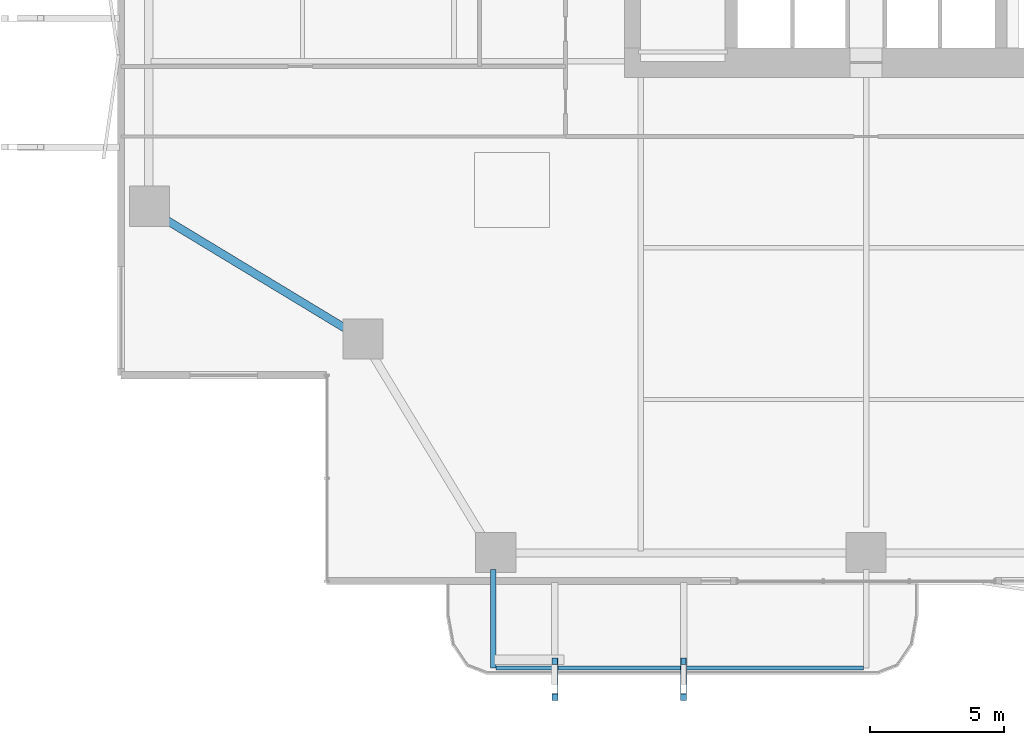
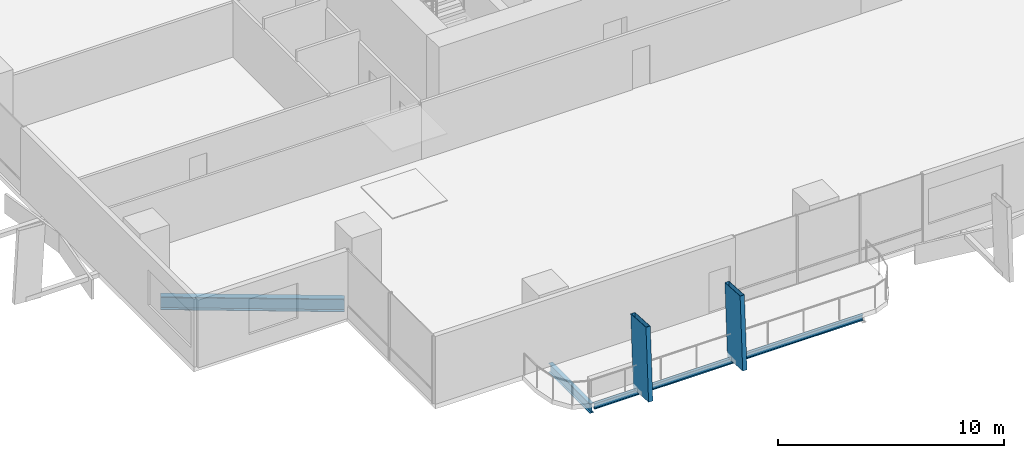
# One storey, part 3 of 30: 3 beams, 2 members.
"""IFC4 building model written with IfcOpenShell, lengths in metres."""

from ifc_helpers import new_model, si_unit, direction, frame, origin, origin_2d, place, context, subcontext, project, spatial, hollow_rectangle, i_section, extrude, material, material_profile, profile_set, type_object, element, save


model = new_model("IFC4")

# Units and contexts
model_context = context("Model", 3, precision=1e-05, world=origin(), true_north=direction((0.0, 1.0)))
body_context = subcontext(model_context, "Body", "Model", "MODEL_VIEW")
ifc_project = project(units=[si_unit("LENGTHUNIT", "METRE"), si_unit("AREAUNIT", "SQUARE_METRE"), si_unit("VOLUMEUNIT", "CUBIC_METRE"), si_unit("PLANEANGLEUNIT", "RADIAN"), si_unit("MASSUNIT", "GRAM", prefix="KILO")], contexts=[model_context])

# Site, building, storey
site_placement = place(None, origin())
site = spatial("IfcSite", under=ifc_project, at=site_placement, CompositionType="ELEMENT")
building_placement = place(site_placement, origin())
building = spatial("IfcBuilding", under=site, at=building_placement, Name="Belovzor Exchange Tower", CompositionType="ELEMENT")
storey_placement = place(building_placement, frame((0.0, 0.0, 30.0)))
storey = spatial("IfcBuildingStorey", under=building, at=storey_placement, Name="L06", CompositionType="ELEMENT", Elevation=30.0)

# Members
ifc_material_1 = material(Name="Extruded Architectural Terracotta on Steel S355 Carrier", Category="masonry")
ifc_material_profile_1 = material_profile(ifc_material_1, hollow_rectangle(XDim=0.219970703125, YDim=1.35009765625, WallThickness=0.013916015625, at=origin_2d()))
ifc_profile_set_1 = profile_set([ifc_material_profile_1], Name="Extruded Architectural Terracotta on Steel S355 Carrier")
member_type = type_object("IfcMemberType", Name="Base Arc Sweeping Terracotta Pylon Fin 1450", PredefinedType="USERDEFINED", material=ifc_profile_set_1)
for number, where, z_axis, x_axis, name in (
    (1, (17.199951171875, -2.737060546875, -0.25), (0.0, 0.059678094331, 0.998217674186), (-1.0, 0.0, 0.0), "FIN-TC145 Terracotta Facade Fin L06 S1"),
    (2, (22.0, -2.737060546875, -0.25), (0.0, 0.059678094331, 0.998217674186), (-1.0, 0.0, 0.0), "FIN-TC145 Terracotta Facade Fin L06 S2"),
):
    element("IfcMember", number, at=place(storey_placement, frame(where, z_axis=z_axis, x_axis=x_axis)), inside=storey, type_object=member_type, Name=name, ObjectType="FIN", PredefinedType="USERDEFINED", context=body_context, shape_type="SweptSolid", body=[
        extrude(hollow_rectangle(XDim=0.219970703125, YDim=1.35009765625, WallThickness=0.013916015625, at=origin_2d()), origin(), (0.0, 0.0, 1.0), 3.906982421875),
    ])

# Beams
ifc_material_2 = material(Name="Steel S355", Category="steel")
ifc_material_profile_2 = material_profile(ifc_material_2, i_section(OverallWidth=0.199951171875, OverallDepth=0.5, WebThickness=0.01025390625, FlangeThickness=0.01611328125, at=origin_2d()))
ifc_profile_set_2 = profile_set([ifc_material_profile_2], Name="Steel S355")
beam_type_1 = type_object("IfcBeamType", Name="Planted Balcony Cantilever Beam IPE 500", PredefinedType="BEAM", material=ifc_profile_set_2)
beam_1_placement = place(storey_placement, frame((14.89990234375, 1.469970703125, -0.5), z_axis=(0.0, -1.0, 0.0), x_axis=(1.0, 0.0, 0.0)))
element("IfcBeam", 3, at=beam_1_placement, inside=storey, type_object=beam_type_1, Name="BC-500 Planted Balcony Cantilever Beam IPE 500", PredefinedType="BEAM", context=body_context, shape_type="SweptSolid", body=[
    extrude(i_section(OverallWidth=0.199951171875, OverallDepth=0.5, WebThickness=0.01025390625, FlangeThickness=0.01611328125, at=origin_2d()), origin(), (0.0, 0.0, 1.0), 3.669921875),
])
ifc_material_3 = material(Name="Steel S355", Category="steel")
ifc_material_profile_3 = material_profile(ifc_material_3, i_section(OverallWidth=0.14990234375, OverallDepth=0.300048828125, WebThickness=0.007080078125, FlangeThickness=0.0107421875, at=origin_2d()))
ifc_profile_set_3 = profile_set([ifc_material_profile_3], Name="Steel S355")
beam_type_2 = type_object("IfcBeamType", Name="Planted Balcony Fascia Edge Beam IPE 300", PredefinedType="BEAM", material=ifc_profile_set_3)
beam_2_placement = place(storey_placement, frame((15.0, -2.199951171875, -0.39990234375), z_axis=(1.0, 0.0, 0.0), x_axis=(0.0, 1.0, 0.0)))
element("IfcBeam", 4, at=beam_2_placement, inside=storey, type_object=beam_type_2, Name="BC-300 Planted Balcony Fascia Edge Beam IPE 300", PredefinedType="BEAM", context=body_context, shape_type="SweptSolid", body=[
    extrude(i_section(OverallWidth=0.14990234375, OverallDepth=0.300048828125, WebThickness=0.007080078125, FlangeThickness=0.0107421875, at=origin_2d()), origin(), (0.0, 0.0, 1.0), 13.699951171875),
])
ifc_material_4 = material(Name="Steel S355", Category="steel")
ifc_material_profile_4 = material_profile(ifc_material_4, i_section(OverallWidth=0.300048828125, OverallDepth=0.699951171875, WebThickness=0.01708984375, FlangeThickness=0.031982421875, at=origin_2d()))
ifc_profile_set_4 = profile_set([ifc_material_profile_4], Name="Steel S355")
beam_type_3 = type_object("IfcBeamType", Name="Zone 1 Primary Perimeter Girder HEB 700", PredefinedType="BEAM", material=ifc_profile_set_4)
beam_3_placement = place(storey_placement, frame((2.587890625, 14.56689453125, -0.60009765625), z_axis=(0.855453444695, -0.517879719587, 0.0), x_axis=(0.517879719587, 0.855453444695, 0.0)))
element("IfcBeam", 5, at=beam_3_placement, inside=storey, type_object=beam_type_3, Name="FG-Z1 Zone 1 Primary Perimeter Girder HEB 700", PredefinedType="BEAM", context=body_context, shape_type="SweptSolid", body=[
    extrude(i_section(OverallWidth=0.300048828125, OverallDepth=0.699951171875, WebThickness=0.01708984375, FlangeThickness=0.031982421875, at=origin_2d()), origin(), (0.0, 0.0, 1.0), 8.117431640625),
])

save(model, "model.ifc")
